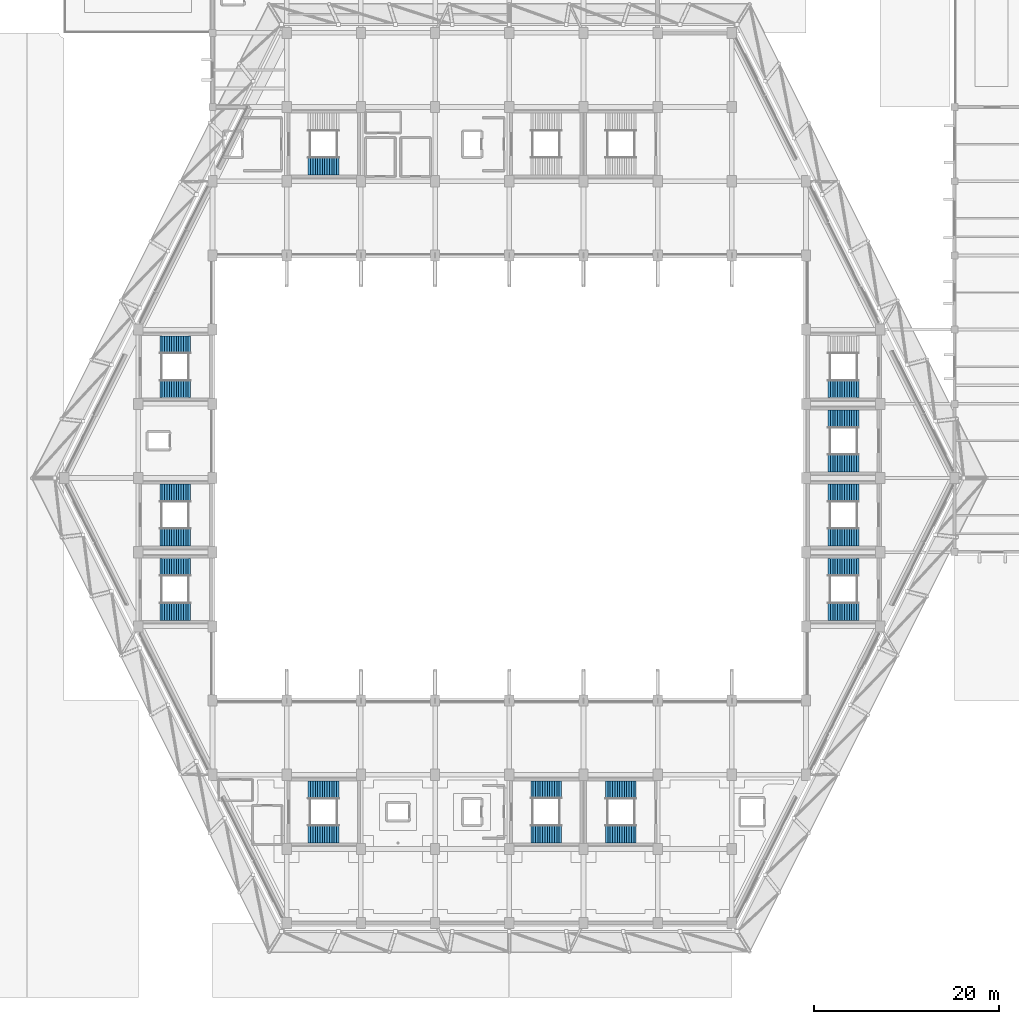
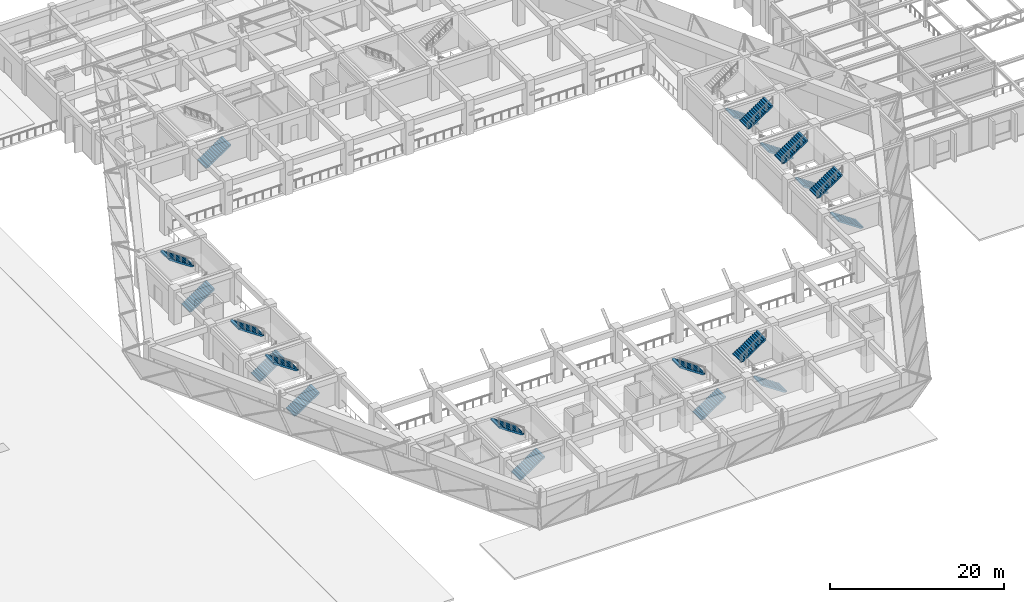
# One storey, part 37 of 46: 20 stair flights, 11 elements without a shape of their own.
"""IFC4 building model written with IfcOpenShell, lengths in metres."""

from ifc_helpers import new_model, si_unit, direction, frame, origin, place, context, subcontext, project, spatial, polyline, outline, extrude, material, type_object, element, aggregate, save


model = new_model("IFC4")

# Units and contexts
model_context = context("Model", 3, precision=1e-05, world=origin(), true_north=direction((0.0, 1.0)))
body_context = subcontext(model_context, "Body", "Model", "MODEL_VIEW")
ifc_project = project(units=[si_unit("LENGTHUNIT", "METRE"), si_unit("AREAUNIT", "SQUARE_METRE"), si_unit("VOLUMEUNIT", "CUBIC_METRE"), si_unit("PLANEANGLEUNIT", "RADIAN"), si_unit("MASSUNIT", "GRAM", prefix="KILO")], contexts=[model_context])

# Site, building, storey
site_placement = place(None, origin())
site = spatial("IfcSite", under=ifc_project, at=site_placement, CompositionType="ELEMENT")
building_placement = place(site_placement, origin())
building = spatial("IfcBuilding", under=site, at=building_placement, Name="Tazarka Park Arena", CompositionType="ELEMENT")
storey_placement = place(building_placement, frame((0.0, 0.0, 10.199951171875)))
storey = spatial("IfcBuildingStorey", under=building, at=storey_placement, Name="L02", CompositionType="ELEMENT", Elevation=10.199951171875)

# Stair, stair flights
ifc_material_1 = material(Name="Precast concrete C40/50", Category="concrete")
stair_type_1 = type_object("IfcStairType", Name="STR-2400", PredefinedType="HALF_TURN_STAIR", material=ifc_material_1)
stair_1_placement = place(storey_placement, origin())
stair_1 = element("IfcStair", 1, at=stair_1_placement, inside=storey, type_object=stair_type_1, Name="Stair ST09 L02", PredefinedType="HALF_TURN_STAIR")
ifc_material_2 = material(Name="Precast concrete C40/50", Category="concrete")
stair_flight_type_1 = type_object("IfcStairFlightType", Name="FLT-1350", PredefinedType="STRAIGHT", material=ifc_material_2)
stair_flight_1_placement = place(storey_placement, frame((66.31494140625, 25.6298828125, 0.0), z_axis=(0.0, 0.0, 1.0), x_axis=(1.0, 0.0, 0.0)))
stair_flight_1 = element("IfcStairFlight", 2, at=stair_flight_1_placement, type_object=stair_flight_type_1, Name="ST09-L02 flight 1", NumberOfRisers=14, NumberOfTreads=13, PredefinedType="STRAIGHT", RiserHeight=0.171429, TreadLength=0.255, context=body_context, shape_type="SweptSolid", body=[
    extrude(outline(polyline([(0.0, 0.0), (0.0, 0.17138671875), (0.2548828125, 0.17138671875), (0.2548828125, 0.3427734375), (0.510009765625, 0.3427734375), (0.510009765625, 0.514404296875), (0.764892578125, 0.514404296875), (0.764892578125, 0.685791015625), (1.02001953125, 0.685791015625), (1.02001953125, 0.857177734375), (1.27490234375, 0.857177734375), (1.27490234375, 1.028564453125), (1.530029296875, 1.028564453125), (1.530029296875, 1.199951171875), (1.784912109375, 1.199951171875), (1.784912109375, 1.371337890625), (2.0400390625, 1.371337890625), (2.0400390625, 1.54296875), (2.294921875, 1.54296875), (2.294921875, 1.71435546875), (2.550048828125, 1.71435546875), (2.550048828125, 1.8857421875), (2.804931640625, 1.8857421875), (2.804931640625, 2.05712890625), (3.06005859375, 2.05712890625), (3.06005859375, 2.228515625), (3.31494140625, 2.228515625), (3.31494140625, 2.39990234375), (3.31494140625, 2.01171875), (0.322509765625, 0.0), (0.0, 0.0)])), frame((0.0, 0.969970703125, 0.0), z_axis=(0.0, -1.0, 0.0), x_axis=(1.0, 0.0, 0.0)), (0.0, 0.0, 1.0), 1.93994140625),
])
stair_flight_2_placement = place(storey_placement, frame((69.6298828125, 30.3701171875, 2.400146484375), z_axis=(0.0, 0.0, 1.0), x_axis=(-1.0, 0.0, 0.0)))
stair_flight_2 = element("IfcStairFlight", 3, at=stair_flight_2_placement, type_object=stair_flight_type_1, Name="ST09-L02 flight 2", NumberOfRisers=14, NumberOfTreads=13, PredefinedType="STRAIGHT", RiserHeight=0.171429, TreadLength=0.255, context=body_context, shape_type="SweptSolid", body=[
    extrude(outline(polyline([(0.0, 0.0), (0.0, 0.17138671875), (0.2548828125, 0.17138671875), (0.2548828125, 0.3427734375), (0.510009765625, 0.3427734375), (0.510009765625, 0.514404296875), (0.764892578125, 0.514404296875), (0.764892578125, 0.685791015625), (1.02001953125, 0.685791015625), (1.02001953125, 0.857177734375), (1.27490234375, 0.857177734375), (1.27490234375, 1.028564453125), (1.530029296875, 1.028564453125), (1.530029296875, 1.199951171875), (1.784912109375, 1.199951171875), (1.784912109375, 1.371337890625), (2.0400390625, 1.371337890625), (2.0400390625, 1.54296875), (2.294921875, 1.54296875), (2.294921875, 1.71435546875), (2.550048828125, 1.71435546875), (2.550048828125, 1.8857421875), (2.804931640625, 1.8857421875), (2.804931640625, 2.05712890625), (3.06005859375, 2.05712890625), (3.06005859375, 2.228515625), (3.31494140625, 2.228515625), (3.31494140625, 2.39990234375), (3.31494140625, 2.01171875), (0.322509765625, 0.0), (0.0, 0.0)])), frame((0.0, 0.969970703125, 0.0), z_axis=(0.0, -1.0, 0.0), x_axis=(1.0, 0.0, 0.0)), (0.0, 0.0, 1.0), 1.93994140625),
])
aggregate(stair_1, [stair_flight_1, stair_flight_2])

stair_2_placement = place(storey_placement, origin())
stair_2 = element("IfcStair", 4, at=stair_2_placement, inside=storey, type_object=stair_type_1, Name="Stair ST11 L02", PredefinedType="HALF_TURN_STAIR")
stair_flight_3_placement = place(storey_placement, frame((101.68505859375, 25.6298828125, 0.0), z_axis=(0.0, 0.0, 1.0), x_axis=(-1.0, 0.0, 0.0)))
stair_flight_3 = element("IfcStairFlight", 5, at=stair_flight_3_placement, type_object=stair_flight_type_1, Name="ST11-L02 flight 1", NumberOfRisers=14, NumberOfTreads=13, PredefinedType="STRAIGHT", RiserHeight=0.171429, TreadLength=0.255, context=body_context, shape_type="SweptSolid", body=[
    extrude(outline(polyline([(0.0, 0.0), (0.0, 0.17138671875), (0.2548828125, 0.17138671875), (0.2548828125, 0.3427734375), (0.510009765625, 0.3427734375), (0.510009765625, 0.514404296875), (0.764892578125, 0.514404296875), (0.764892578125, 0.685791015625), (1.02001953125, 0.685791015625), (1.02001953125, 0.857177734375), (1.27490234375, 0.857177734375), (1.27490234375, 1.028564453125), (1.530029296875, 1.028564453125), (1.530029296875, 1.199951171875), (1.784912109375, 1.199951171875), (1.784912109375, 1.371337890625), (2.0400390625, 1.371337890625), (2.0400390625, 1.54296875), (2.294921875, 1.54296875), (2.294921875, 1.71435546875), (2.550048828125, 1.71435546875), (2.550048828125, 1.8857421875), (2.804931640625, 1.8857421875), (2.804931640625, 2.05712890625), (3.06005859375, 2.05712890625), (3.06005859375, 2.228515625), (3.31494140625, 2.228515625), (3.31494140625, 2.39990234375), (3.31494140625, 2.01171875), (0.322509765625, 0.0), (0.0, 0.0)])), frame((0.0, 0.969970703125, 0.0), z_axis=(0.0, -1.0, 0.0), x_axis=(1.0, 0.0, 0.0)), (0.0, 0.0, 1.0), 1.93994140625),
])
stair_flight_4_placement = place(storey_placement, frame((98.3701171875, 30.3701171875, 2.400146484375), z_axis=(0.0, 0.0, 1.0), x_axis=(1.0, 0.0, 0.0)))
stair_flight_4 = element("IfcStairFlight", 6, at=stair_flight_4_placement, type_object=stair_flight_type_1, Name="ST11-L02 flight 2", NumberOfRisers=14, NumberOfTreads=13, PredefinedType="STRAIGHT", RiserHeight=0.171429, TreadLength=0.255, context=body_context, shape_type="SweptSolid", body=[
    extrude(outline(polyline([(0.0, 0.0), (0.0, 0.17138671875), (0.2548828125, 0.17138671875), (0.2548828125, 0.3427734375), (0.510009765625, 0.3427734375), (0.510009765625, 0.514404296875), (0.764892578125, 0.514404296875), (0.764892578125, 0.685791015625), (1.02001953125, 0.685791015625), (1.02001953125, 0.857177734375), (1.27490234375, 0.857177734375), (1.27490234375, 1.028564453125), (1.530029296875, 1.028564453125), (1.530029296875, 1.199951171875), (1.784912109375, 1.199951171875), (1.784912109375, 1.371337890625), (2.0400390625, 1.371337890625), (2.0400390625, 1.54296875), (2.294921875, 1.54296875), (2.294921875, 1.71435546875), (2.550048828125, 1.71435546875), (2.550048828125, 1.8857421875), (2.804931640625, 1.8857421875), (2.804931640625, 2.05712890625), (3.06005859375, 2.05712890625), (3.06005859375, 2.228515625), (3.31494140625, 2.228515625), (3.31494140625, 2.39990234375), (3.31494140625, 2.01171875), (0.322509765625, 0.0), (0.0, 0.0)])), frame((0.0, 0.969970703125, 0.0), z_axis=(0.0, -1.0, 0.0), x_axis=(1.0, 0.0, 0.0)), (0.0, 0.0, 1.0), 1.93994140625),
])
aggregate(stair_2, [stair_flight_3, stair_flight_4])

stair_3_placement = place(storey_placement, origin())
stair_3 = element("IfcStair", 7, at=stair_3_placement, inside=storey, type_object=stair_type_1, Name="Stair ST12 L02", PredefinedType="HALF_TURN_STAIR")
stair_flight_5_placement = place(storey_placement, frame((125.68505859375, 57.6298828125, 0.0), z_axis=(0.0, 0.0, 1.0), x_axis=(-1.0, 0.0, 0.0)))
stair_flight_5 = element("IfcStairFlight", 8, at=stair_flight_5_placement, type_object=stair_flight_type_1, Name="ST12-L02 flight 1", NumberOfRisers=14, NumberOfTreads=13, PredefinedType="STRAIGHT", RiserHeight=0.171429, TreadLength=0.255, context=body_context, shape_type="SweptSolid", body=[
    extrude(outline(polyline([(0.0, 0.0), (0.0, 0.17138671875), (0.2548828125, 0.17138671875), (0.2548828125, 0.3427734375), (0.510009765625, 0.3427734375), (0.510009765625, 0.514404296875), (0.764892578125, 0.514404296875), (0.764892578125, 0.685791015625), (1.02001953125, 0.685791015625), (1.02001953125, 0.857177734375), (1.27490234375, 0.857177734375), (1.27490234375, 1.028564453125), (1.530029296875, 1.028564453125), (1.530029296875, 1.199951171875), (1.784912109375, 1.199951171875), (1.784912109375, 1.371337890625), (2.0400390625, 1.371337890625), (2.0400390625, 1.54296875), (2.294921875, 1.54296875), (2.294921875, 1.71435546875), (2.550048828125, 1.71435546875), (2.550048828125, 1.8857421875), (2.804931640625, 1.8857421875), (2.804931640625, 2.05712890625), (3.06005859375, 2.05712890625), (3.06005859375, 2.228515625), (3.31494140625, 2.228515625), (3.31494140625, 2.39990234375), (3.31494140625, 2.01171875), (0.322509765625, 0.0), (0.0, 0.0)])), frame((0.0, 0.969970703125, 0.0), z_axis=(0.0, -1.0, 0.0), x_axis=(1.0, 0.0, 0.0)), (0.0, 0.0, 1.0), 1.93994140625),
])
stair_flight_6_placement = place(storey_placement, frame((122.3701171875, 62.3701171875, 2.400146484375), z_axis=(0.0, 0.0, 1.0), x_axis=(1.0, 0.0, 0.0)))
stair_flight_6 = element("IfcStairFlight", 9, at=stair_flight_6_placement, type_object=stair_flight_type_1, Name="ST12-L02 flight 2", NumberOfRisers=14, NumberOfTreads=13, PredefinedType="STRAIGHT", RiserHeight=0.171429, TreadLength=0.255, context=body_context, shape_type="SweptSolid", body=[
    extrude(outline(polyline([(0.0, 0.0), (0.0, 0.17138671875), (0.2548828125, 0.17138671875), (0.2548828125, 0.3427734375), (0.510009765625, 0.3427734375), (0.510009765625, 0.514404296875), (0.764892578125, 0.514404296875), (0.764892578125, 0.685791015625), (1.02001953125, 0.685791015625), (1.02001953125, 0.857177734375), (1.27490234375, 0.857177734375), (1.27490234375, 1.028564453125), (1.530029296875, 1.028564453125), (1.530029296875, 1.199951171875), (1.784912109375, 1.199951171875), (1.784912109375, 1.371337890625), (2.0400390625, 1.371337890625), (2.0400390625, 1.54296875), (2.294921875, 1.54296875), (2.294921875, 1.71435546875), (2.550048828125, 1.71435546875), (2.550048828125, 1.8857421875), (2.804931640625, 1.8857421875), (2.804931640625, 2.05712890625), (3.06005859375, 2.05712890625), (3.06005859375, 2.228515625), (3.31494140625, 2.228515625), (3.31494140625, 2.39990234375), (3.31494140625, 2.01171875), (0.322509765625, 0.0), (0.0, 0.0)])), frame((0.0, 0.969970703125, 0.0), z_axis=(0.0, -1.0, 0.0), x_axis=(1.0, 0.0, 0.0)), (0.0, 0.0, 1.0), 1.93994140625),
])
aggregate(stair_3, [stair_flight_5, stair_flight_6])

stair_4_placement = place(storey_placement, origin())
stair_4 = element("IfcStair", 10, at=stair_4_placement, inside=storey, type_object=stair_type_1, Name="Stair ST13 L02", PredefinedType="HALF_TURN_STAIR")
stair_flight_7_placement = place(storey_placement, frame((50.31494140625, 57.6298828125, 0.0), z_axis=(0.0, 0.0, 1.0), x_axis=(1.0, 0.0, 0.0)))
stair_flight_7 = element("IfcStairFlight", 11, at=stair_flight_7_placement, type_object=stair_flight_type_1, Name="ST13-L02 flight 1", NumberOfRisers=14, NumberOfTreads=13, PredefinedType="STRAIGHT", RiserHeight=0.171429, TreadLength=0.255, context=body_context, shape_type="SweptSolid", body=[
    extrude(outline(polyline([(0.0, 0.0), (0.0, 0.17138671875), (0.2548828125, 0.17138671875), (0.2548828125, 0.3427734375), (0.510009765625, 0.3427734375), (0.510009765625, 0.514404296875), (0.764892578125, 0.514404296875), (0.764892578125, 0.685791015625), (1.02001953125, 0.685791015625), (1.02001953125, 0.857177734375), (1.27490234375, 0.857177734375), (1.27490234375, 1.028564453125), (1.530029296875, 1.028564453125), (1.530029296875, 1.199951171875), (1.784912109375, 1.199951171875), (1.784912109375, 1.371337890625), (2.0400390625, 1.371337890625), (2.0400390625, 1.54296875), (2.294921875, 1.54296875), (2.294921875, 1.71435546875), (2.550048828125, 1.71435546875), (2.550048828125, 1.8857421875), (2.804931640625, 1.8857421875), (2.804931640625, 2.05712890625), (3.06005859375, 2.05712890625), (3.06005859375, 2.228515625), (3.31494140625, 2.228515625), (3.31494140625, 2.39990234375), (3.31494140625, 2.01171875), (0.322509765625, 0.0), (0.0, 0.0)])), frame((0.0, 0.969970703125, 0.0), z_axis=(0.0, -1.0, 0.0), x_axis=(1.0, 0.0, 0.0)), (0.0, 0.0, 1.0), 1.93994140625),
])
stair_flight_8_placement = place(storey_placement, frame((53.6298828125, 62.3701171875, 2.400146484375), z_axis=(0.0, 0.0, 1.0), x_axis=(-1.0, 0.0, 0.0)))
stair_flight_8 = element("IfcStairFlight", 12, at=stair_flight_8_placement, type_object=stair_flight_type_1, Name="ST13-L02 flight 2", NumberOfRisers=14, NumberOfTreads=13, PredefinedType="STRAIGHT", RiserHeight=0.171429, TreadLength=0.255, context=body_context, shape_type="SweptSolid", body=[
    extrude(outline(polyline([(0.0, 0.0), (0.0, 0.17138671875), (0.2548828125, 0.17138671875), (0.2548828125, 0.3427734375), (0.510009765625, 0.3427734375), (0.510009765625, 0.514404296875), (0.764892578125, 0.514404296875), (0.764892578125, 0.685791015625), (1.02001953125, 0.685791015625), (1.02001953125, 0.857177734375), (1.27490234375, 0.857177734375), (1.27490234375, 1.028564453125), (1.530029296875, 1.028564453125), (1.530029296875, 1.199951171875), (1.784912109375, 1.199951171875), (1.784912109375, 1.371337890625), (2.0400390625, 1.371337890625), (2.0400390625, 1.54296875), (2.294921875, 1.54296875), (2.294921875, 1.71435546875), (2.550048828125, 1.71435546875), (2.550048828125, 1.8857421875), (2.804931640625, 1.8857421875), (2.804931640625, 2.05712890625), (3.06005859375, 2.05712890625), (3.06005859375, 2.228515625), (3.31494140625, 2.228515625), (3.31494140625, 2.39990234375), (3.31494140625, 2.01171875), (0.322509765625, 0.0), (0.0, 0.0)])), frame((0.0, 0.969970703125, 0.0), z_axis=(0.0, -1.0, 0.0), x_axis=(1.0, 0.0, 0.0)), (0.0, 0.0, 1.0), 1.93994140625),
])
aggregate(stair_4, [stair_flight_7, stair_flight_8])

# Stair, stair flight
stair_5_placement = place(storey_placement, origin())
stair_5 = element("IfcStair", 13, at=stair_5_placement, inside=storey, type_object=stair_type_1, Name="Stair ST14 L02", PredefinedType="HALF_TURN_STAIR")
stair_flight_9_placement = place(storey_placement, frame((66.31494140625, 97.6298828125, 0.0), z_axis=(0.0, 0.0, 1.0), x_axis=(1.0, 0.0, 0.0)))
stair_flight_9 = element("IfcStairFlight", 14, at=stair_flight_9_placement, type_object=stair_flight_type_1, Name="ST14-L02 flight 1", NumberOfRisers=14, NumberOfTreads=13, PredefinedType="STRAIGHT", RiserHeight=0.171429, TreadLength=0.255, context=body_context, shape_type="SweptSolid", body=[
    extrude(outline(polyline([(0.0, 0.0), (0.0, 0.17138671875), (0.2548828125, 0.17138671875), (0.2548828125, 0.3427734375), (0.510009765625, 0.3427734375), (0.510009765625, 0.514404296875), (0.764892578125, 0.514404296875), (0.764892578125, 0.685791015625), (1.02001953125, 0.685791015625), (1.02001953125, 0.857177734375), (1.27490234375, 0.857177734375), (1.27490234375, 1.028564453125), (1.530029296875, 1.028564453125), (1.530029296875, 1.199951171875), (1.784912109375, 1.199951171875), (1.784912109375, 1.371337890625), (2.0400390625, 1.371337890625), (2.0400390625, 1.54296875), (2.294921875, 1.54296875), (2.294921875, 1.71435546875), (2.550048828125, 1.71435546875), (2.550048828125, 1.8857421875), (2.804931640625, 1.8857421875), (2.804931640625, 2.05712890625), (3.06005859375, 2.05712890625), (3.06005859375, 2.228515625), (3.31494140625, 2.228515625), (3.31494140625, 2.39990234375), (3.31494140625, 2.01171875), (0.322509765625, 0.0), (0.0, 0.0)])), frame((0.0, 0.969970703125, 0.0), z_axis=(0.0, -1.0, 0.0), x_axis=(1.0, 0.0, 0.0)), (0.0, 0.0, 1.0), 1.93994140625),
])
aggregate(stair_5, [stair_flight_9])

# Stair, stair flights
stair_6_placement = place(storey_placement, origin())
stair_6 = element("IfcStair", 15, at=stair_6_placement, inside=storey, type_object=stair_type_1, Name="Stair ST16 L02", PredefinedType="HALF_TURN_STAIR")
stair_flight_10_placement = place(storey_placement, frame((125.68505859375, 65.6298828125, 0.0), z_axis=(0.0, 0.0, 1.0), x_axis=(-1.0, 0.0, 0.0)))
stair_flight_10 = element("IfcStairFlight", 16, at=stair_flight_10_placement, type_object=stair_flight_type_1, Name="ST16-L02 flight 1", NumberOfRisers=14, NumberOfTreads=13, PredefinedType="STRAIGHT", RiserHeight=0.171429, TreadLength=0.255, context=body_context, shape_type="SweptSolid", body=[
    extrude(outline(polyline([(0.0, 0.0), (0.0, 0.17138671875), (0.2548828125, 0.17138671875), (0.2548828125, 0.3427734375), (0.510009765625, 0.3427734375), (0.510009765625, 0.514404296875), (0.764892578125, 0.514404296875), (0.764892578125, 0.685791015625), (1.02001953125, 0.685791015625), (1.02001953125, 0.857177734375), (1.27490234375, 0.857177734375), (1.27490234375, 1.028564453125), (1.530029296875, 1.028564453125), (1.530029296875, 1.199951171875), (1.784912109375, 1.199951171875), (1.784912109375, 1.371337890625), (2.0400390625, 1.371337890625), (2.0400390625, 1.54296875), (2.294921875, 1.54296875), (2.294921875, 1.71435546875), (2.550048828125, 1.71435546875), (2.550048828125, 1.8857421875), (2.804931640625, 1.8857421875), (2.804931640625, 2.05712890625), (3.06005859375, 2.05712890625), (3.06005859375, 2.228515625), (3.31494140625, 2.228515625), (3.31494140625, 2.39990234375), (3.31494140625, 2.01171875), (0.322509765625, 0.0), (0.0, 0.0)])), frame((0.0, 0.969970703125, 0.0), z_axis=(0.0, -1.0, 0.0), x_axis=(1.0, 0.0, 0.0)), (0.0, 0.0, 1.0), 1.93994140625),
])
stair_flight_11_placement = place(storey_placement, frame((122.3701171875, 70.3701171875, 2.400146484375), z_axis=(0.0, 0.0, 1.0), x_axis=(1.0, 0.0, 0.0)))
stair_flight_11 = element("IfcStairFlight", 17, at=stair_flight_11_placement, type_object=stair_flight_type_1, Name="ST16-L02 flight 2", NumberOfRisers=14, NumberOfTreads=13, PredefinedType="STRAIGHT", RiserHeight=0.171429, TreadLength=0.255, context=body_context, shape_type="SweptSolid", body=[
    extrude(outline(polyline([(0.0, 0.0), (0.0, 0.17138671875), (0.2548828125, 0.17138671875), (0.2548828125, 0.3427734375), (0.510009765625, 0.3427734375), (0.510009765625, 0.514404296875), (0.764892578125, 0.514404296875), (0.764892578125, 0.685791015625), (1.02001953125, 0.685791015625), (1.02001953125, 0.857177734375), (1.27490234375, 0.857177734375), (1.27490234375, 1.028564453125), (1.530029296875, 1.028564453125), (1.530029296875, 1.199951171875), (1.784912109375, 1.199951171875), (1.784912109375, 1.371337890625), (2.0400390625, 1.371337890625), (2.0400390625, 1.54296875), (2.294921875, 1.54296875), (2.294921875, 1.71435546875), (2.550048828125, 1.71435546875), (2.550048828125, 1.8857421875), (2.804931640625, 1.8857421875), (2.804931640625, 2.05712890625), (3.06005859375, 2.05712890625), (3.06005859375, 2.228515625), (3.31494140625, 2.228515625), (3.31494140625, 2.39990234375), (3.31494140625, 2.01171875), (0.322509765625, 0.0), (0.0, 0.0)])), frame((0.0, 0.969970703125, 0.0), z_axis=(0.0, -1.0, 0.0), x_axis=(1.0, 0.0, 0.0)), (0.0, 0.0, 1.0), 1.93994140625),
])
aggregate(stair_6, [stair_flight_10, stair_flight_11])

ifc_material_3 = material(Name="Precast concrete C40/50", Category="concrete")
stair_type_2 = type_object("IfcStairType", Name="STR-1800", PredefinedType="HALF_TURN_STAIR", material=ifc_material_3)
stair_7_placement = place(storey_placement, origin())
stair_7 = element("IfcStair", 18, at=stair_7_placement, inside=storey, type_object=stair_type_2, Name="Vomitory Stair ST19 L02", PredefinedType="HALF_TURN_STAIR")
ifc_material_4 = material(Name="Precast concrete C40/50", Category="concrete")
stair_flight_type_2 = type_object("IfcStairFlightType", Name="FLT-1800", PredefinedType="STRAIGHT", material=ifc_material_4)
stair_flight_12_placement = place(storey_placement, frame((50.31494140625, 49.610107421875, 0.0), z_axis=(0.0, 0.0, 1.0), x_axis=(1.0, 0.0, 0.0)))
stair_flight_12 = element("IfcStairFlight", 19, at=stair_flight_12_placement, type_object=stair_flight_type_2, Name="ST19-L02 flight 1", NumberOfRisers=14, NumberOfTreads=13, PredefinedType="STRAIGHT", RiserHeight=0.171429, TreadLength=0.255, context=body_context, shape_type="SweptSolid", body=[
    extrude(outline(polyline([(0.0, 0.0), (0.0, 0.17138671875), (0.2548828125, 0.17138671875), (0.2548828125, 0.3427734375), (0.510009765625, 0.3427734375), (0.510009765625, 0.514404296875), (0.764892578125, 0.514404296875), (0.764892578125, 0.685791015625), (1.02001953125, 0.685791015625), (1.02001953125, 0.857177734375), (1.27490234375, 0.857177734375), (1.27490234375, 1.028564453125), (1.530029296875, 1.028564453125), (1.530029296875, 1.199951171875), (1.784912109375, 1.199951171875), (1.784912109375, 1.371337890625), (2.0400390625, 1.371337890625), (2.0400390625, 1.54296875), (2.294921875, 1.54296875), (2.294921875, 1.71435546875), (2.550048828125, 1.71435546875), (2.550048828125, 1.8857421875), (2.804931640625, 1.8857421875), (2.804931640625, 2.05712890625), (3.06005859375, 2.05712890625), (3.06005859375, 2.228515625), (3.31494140625, 2.228515625), (3.31494140625, 2.39990234375), (3.31494140625, 2.01171875), (0.322509765625, 0.0), (0.0, 0.0)])), frame((0.0, 0.949951171875, 0.0), z_axis=(0.0, -1.0, 0.0), x_axis=(1.0, 0.0, 0.0)), (0.0, 0.0, 1.0), 1.89990234375),
])
stair_flight_13_placement = place(storey_placement, frame((53.6298828125, 54.389892578125, 2.400146484375), z_axis=(0.0, 0.0, 1.0), x_axis=(-1.0, 0.0, 0.0)))
stair_flight_13 = element("IfcStairFlight", 20, at=stair_flight_13_placement, type_object=stair_flight_type_2, Name="ST19-L02 flight 2", NumberOfRisers=14, NumberOfTreads=13, PredefinedType="STRAIGHT", RiserHeight=0.171429, TreadLength=0.255, context=body_context, shape_type="SweptSolid", body=[
    extrude(outline(polyline([(0.0, 0.0), (0.0, 0.17138671875), (0.2548828125, 0.17138671875), (0.2548828125, 0.3427734375), (0.510009765625, 0.3427734375), (0.510009765625, 0.514404296875), (0.764892578125, 0.514404296875), (0.764892578125, 0.685791015625), (1.02001953125, 0.685791015625), (1.02001953125, 0.857177734375), (1.27490234375, 0.857177734375), (1.27490234375, 1.028564453125), (1.530029296875, 1.028564453125), (1.530029296875, 1.199951171875), (1.784912109375, 1.199951171875), (1.784912109375, 1.371337890625), (2.0400390625, 1.371337890625), (2.0400390625, 1.54296875), (2.294921875, 1.54296875), (2.294921875, 1.71435546875), (2.550048828125, 1.71435546875), (2.550048828125, 1.8857421875), (2.804931640625, 1.8857421875), (2.804931640625, 2.05712890625), (3.06005859375, 2.05712890625), (3.06005859375, 2.228515625), (3.31494140625, 2.228515625), (3.31494140625, 2.39990234375), (3.31494140625, 2.01171875), (0.322509765625, 0.0), (0.0, 0.0)])), frame((0.0, 0.949951171875, 0.0), z_axis=(0.0, -1.0, 0.0), x_axis=(1.0, 0.0, 0.0)), (0.0, 0.0, 1.0), 1.89990234375),
])
aggregate(stair_7, [stair_flight_12, stair_flight_13])

stair_8_placement = place(storey_placement, origin())
stair_8 = element("IfcStair", 21, at=stair_8_placement, inside=storey, type_object=stair_type_2, Name="Vomitory Stair ST20 L02", PredefinedType="HALF_TURN_STAIR")
stair_flight_14_placement = place(storey_placement, frame((50.31494140625, 73.610107421875, 0.0), z_axis=(0.0, 0.0, 1.0), x_axis=(1.0, 0.0, 0.0)))
stair_flight_14 = element("IfcStairFlight", 22, at=stair_flight_14_placement, type_object=stair_flight_type_2, Name="ST20-L02 flight 1", NumberOfRisers=14, NumberOfTreads=13, PredefinedType="STRAIGHT", RiserHeight=0.171429, TreadLength=0.255, context=body_context, shape_type="SweptSolid", body=[
    extrude(outline(polyline([(0.0, 0.0), (0.0, 0.17138671875), (0.2548828125, 0.17138671875), (0.2548828125, 0.3427734375), (0.510009765625, 0.3427734375), (0.510009765625, 0.514404296875), (0.764892578125, 0.514404296875), (0.764892578125, 0.685791015625), (1.02001953125, 0.685791015625), (1.02001953125, 0.857177734375), (1.27490234375, 0.857177734375), (1.27490234375, 1.028564453125), (1.530029296875, 1.028564453125), (1.530029296875, 1.199951171875), (1.784912109375, 1.199951171875), (1.784912109375, 1.371337890625), (2.0400390625, 1.371337890625), (2.0400390625, 1.54296875), (2.294921875, 1.54296875), (2.294921875, 1.71435546875), (2.550048828125, 1.71435546875), (2.550048828125, 1.8857421875), (2.804931640625, 1.8857421875), (2.804931640625, 2.05712890625), (3.06005859375, 2.05712890625), (3.06005859375, 2.228515625), (3.31494140625, 2.228515625), (3.31494140625, 2.39990234375), (3.31494140625, 2.01171875), (0.322509765625, 0.0), (0.0, 0.0)])), frame((0.0, 0.949951171875, 0.0), z_axis=(0.0, -1.0, 0.0), x_axis=(1.0, 0.0, 0.0)), (0.0, 0.0, 1.0), 1.89990234375),
])
stair_flight_15_placement = place(storey_placement, frame((53.6298828125, 78.389892578125, 2.400146484375), z_axis=(0.0, 0.0, 1.0), x_axis=(-1.0, 0.0, 0.0)))
stair_flight_15 = element("IfcStairFlight", 23, at=stair_flight_15_placement, type_object=stair_flight_type_2, Name="ST20-L02 flight 2", NumberOfRisers=14, NumberOfTreads=13, PredefinedType="STRAIGHT", RiserHeight=0.171429, TreadLength=0.255, context=body_context, shape_type="SweptSolid", body=[
    extrude(outline(polyline([(0.0, 0.0), (0.0, 0.17138671875), (0.2548828125, 0.17138671875), (0.2548828125, 0.3427734375), (0.510009765625, 0.3427734375), (0.510009765625, 0.514404296875), (0.764892578125, 0.514404296875), (0.764892578125, 0.685791015625), (1.02001953125, 0.685791015625), (1.02001953125, 0.857177734375), (1.27490234375, 0.857177734375), (1.27490234375, 1.028564453125), (1.530029296875, 1.028564453125), (1.530029296875, 1.199951171875), (1.784912109375, 1.199951171875), (1.784912109375, 1.371337890625), (2.0400390625, 1.371337890625), (2.0400390625, 1.54296875), (2.294921875, 1.54296875), (2.294921875, 1.71435546875), (2.550048828125, 1.71435546875), (2.550048828125, 1.8857421875), (2.804931640625, 1.8857421875), (2.804931640625, 2.05712890625), (3.06005859375, 2.05712890625), (3.06005859375, 2.228515625), (3.31494140625, 2.228515625), (3.31494140625, 2.39990234375), (3.31494140625, 2.01171875), (0.322509765625, 0.0), (0.0, 0.0)])), frame((0.0, 0.949951171875, 0.0), z_axis=(0.0, -1.0, 0.0), x_axis=(1.0, 0.0, 0.0)), (0.0, 0.0, 1.0), 1.89990234375),
])
aggregate(stair_8, [stair_flight_14, stair_flight_15])

stair_9_placement = place(storey_placement, origin())
stair_9 = element("IfcStair", 24, at=stair_9_placement, inside=storey, type_object=stair_type_2, Name="Vomitory Stair ST21 L02", PredefinedType="HALF_TURN_STAIR")
stair_flight_16_placement = place(storey_placement, frame((125.68505859375, 49.610107421875, 0.0), z_axis=(0.0, 0.0, 1.0), x_axis=(-1.0, 0.0, 0.0)))
stair_flight_16 = element("IfcStairFlight", 25, at=stair_flight_16_placement, type_object=stair_flight_type_2, Name="ST21-L02 flight 1", NumberOfRisers=14, NumberOfTreads=13, PredefinedType="STRAIGHT", RiserHeight=0.171429, TreadLength=0.255, context=body_context, shape_type="SweptSolid", body=[
    extrude(outline(polyline([(0.0, 0.0), (0.0, 0.17138671875), (0.2548828125, 0.17138671875), (0.2548828125, 0.3427734375), (0.510009765625, 0.3427734375), (0.510009765625, 0.514404296875), (0.764892578125, 0.514404296875), (0.764892578125, 0.685791015625), (1.02001953125, 0.685791015625), (1.02001953125, 0.857177734375), (1.27490234375, 0.857177734375), (1.27490234375, 1.028564453125), (1.530029296875, 1.028564453125), (1.530029296875, 1.199951171875), (1.784912109375, 1.199951171875), (1.784912109375, 1.371337890625), (2.0400390625, 1.371337890625), (2.0400390625, 1.54296875), (2.294921875, 1.54296875), (2.294921875, 1.71435546875), (2.550048828125, 1.71435546875), (2.550048828125, 1.8857421875), (2.804931640625, 1.8857421875), (2.804931640625, 2.05712890625), (3.06005859375, 2.05712890625), (3.06005859375, 2.228515625), (3.31494140625, 2.228515625), (3.31494140625, 2.39990234375), (3.31494140625, 2.01171875), (0.322509765625, 0.0), (0.0, 0.0)])), frame((0.0, 0.949951171875, 0.0), z_axis=(0.0, -1.0, 0.0), x_axis=(1.0, 0.0, 0.0)), (0.0, 0.0, 1.0), 1.89990234375),
])
stair_flight_17_placement = place(storey_placement, frame((122.3701171875, 54.389892578125, 2.400146484375), z_axis=(0.0, 0.0, 1.0), x_axis=(1.0, 0.0, 0.0)))
stair_flight_17 = element("IfcStairFlight", 26, at=stair_flight_17_placement, type_object=stair_flight_type_2, Name="ST21-L02 flight 2", NumberOfRisers=14, NumberOfTreads=13, PredefinedType="STRAIGHT", RiserHeight=0.171429, TreadLength=0.255, context=body_context, shape_type="SweptSolid", body=[
    extrude(outline(polyline([(0.0, 0.0), (0.0, 0.17138671875), (0.2548828125, 0.17138671875), (0.2548828125, 0.3427734375), (0.510009765625, 0.3427734375), (0.510009765625, 0.514404296875), (0.764892578125, 0.514404296875), (0.764892578125, 0.685791015625), (1.02001953125, 0.685791015625), (1.02001953125, 0.857177734375), (1.27490234375, 0.857177734375), (1.27490234375, 1.028564453125), (1.530029296875, 1.028564453125), (1.530029296875, 1.199951171875), (1.784912109375, 1.199951171875), (1.784912109375, 1.371337890625), (2.0400390625, 1.371337890625), (2.0400390625, 1.54296875), (2.294921875, 1.54296875), (2.294921875, 1.71435546875), (2.550048828125, 1.71435546875), (2.550048828125, 1.8857421875), (2.804931640625, 1.8857421875), (2.804931640625, 2.05712890625), (3.06005859375, 2.05712890625), (3.06005859375, 2.228515625), (3.31494140625, 2.228515625), (3.31494140625, 2.39990234375), (3.31494140625, 2.01171875), (0.322509765625, 0.0), (0.0, 0.0)])), frame((0.0, 0.949951171875, 0.0), z_axis=(0.0, -1.0, 0.0), x_axis=(1.0, 0.0, 0.0)), (0.0, 0.0, 1.0), 1.89990234375),
])
aggregate(stair_9, [stair_flight_16, stair_flight_17])

# Stair, stair flight
stair_10_placement = place(storey_placement, origin())
stair_10 = element("IfcStair", 27, at=stair_10_placement, inside=storey, type_object=stair_type_2, Name="Vomitory Stair ST22 L02", PredefinedType="HALF_TURN_STAIR")
stair_flight_18_placement = place(storey_placement, frame((125.68505859375, 73.610107421875, 0.0), z_axis=(0.0, 0.0, 1.0), x_axis=(-1.0, 0.0, 0.0)))
stair_flight_18 = element("IfcStairFlight", 28, at=stair_flight_18_placement, type_object=stair_flight_type_2, Name="ST22-L02 flight 1", NumberOfRisers=14, NumberOfTreads=13, PredefinedType="STRAIGHT", RiserHeight=0.171429, TreadLength=0.255, context=body_context, shape_type="SweptSolid", body=[
    extrude(outline(polyline([(0.0, 0.0), (0.0, 0.17138671875), (0.2548828125, 0.17138671875), (0.2548828125, 0.3427734375), (0.510009765625, 0.3427734375), (0.510009765625, 0.514404296875), (0.764892578125, 0.514404296875), (0.764892578125, 0.685791015625), (1.02001953125, 0.685791015625), (1.02001953125, 0.857177734375), (1.27490234375, 0.857177734375), (1.27490234375, 1.028564453125), (1.530029296875, 1.028564453125), (1.530029296875, 1.199951171875), (1.784912109375, 1.199951171875), (1.784912109375, 1.371337890625), (2.0400390625, 1.371337890625), (2.0400390625, 1.54296875), (2.294921875, 1.54296875), (2.294921875, 1.71435546875), (2.550048828125, 1.71435546875), (2.550048828125, 1.8857421875), (2.804931640625, 1.8857421875), (2.804931640625, 2.05712890625), (3.06005859375, 2.05712890625), (3.06005859375, 2.228515625), (3.31494140625, 2.228515625), (3.31494140625, 2.39990234375), (3.31494140625, 2.01171875), (0.322509765625, 0.0), (0.0, 0.0)])), frame((0.0, 0.949951171875, 0.0), z_axis=(0.0, -1.0, 0.0), x_axis=(1.0, 0.0, 0.0)), (0.0, 0.0, 1.0), 1.89990234375),
])
aggregate(stair_10, [stair_flight_18])

# Stair, stair flights
stair_11_placement = place(storey_placement, origin())
stair_11 = element("IfcStair", 29, at=stair_11_placement, inside=storey, type_object=stair_type_2, Name="Vomitory Stair ST23 L02", PredefinedType="HALF_TURN_STAIR")
stair_flight_19_placement = place(storey_placement, frame((90.31494140625, 25.610107421875, 0.0), z_axis=(0.0, 0.0, 1.0), x_axis=(1.0, 0.0, 0.0)))
stair_flight_19 = element("IfcStairFlight", 30, at=stair_flight_19_placement, type_object=stair_flight_type_2, Name="ST23-L02 flight 1", NumberOfRisers=14, NumberOfTreads=13, PredefinedType="STRAIGHT", RiserHeight=0.171429, TreadLength=0.255, context=body_context, shape_type="SweptSolid", body=[
    extrude(outline(polyline([(0.0, 0.0), (0.0, 0.17138671875), (0.2548828125, 0.17138671875), (0.2548828125, 0.3427734375), (0.510009765625, 0.3427734375), (0.510009765625, 0.514404296875), (0.764892578125, 0.514404296875), (0.764892578125, 0.685791015625), (1.02001953125, 0.685791015625), (1.02001953125, 0.857177734375), (1.27490234375, 0.857177734375), (1.27490234375, 1.028564453125), (1.530029296875, 1.028564453125), (1.530029296875, 1.199951171875), (1.784912109375, 1.199951171875), (1.784912109375, 1.371337890625), (2.0400390625, 1.371337890625), (2.0400390625, 1.54296875), (2.294921875, 1.54296875), (2.294921875, 1.71435546875), (2.550048828125, 1.71435546875), (2.550048828125, 1.8857421875), (2.804931640625, 1.8857421875), (2.804931640625, 2.05712890625), (3.06005859375, 2.05712890625), (3.06005859375, 2.228515625), (3.31494140625, 2.228515625), (3.31494140625, 2.39990234375), (3.31494140625, 2.01171875), (0.322509765625, 0.0), (0.0, 0.0)])), frame((0.0, 0.949951171875, 0.0), z_axis=(0.0, -1.0, 0.0), x_axis=(1.0, 0.0, 0.0)), (0.0, 0.0, 1.0), 1.89990234375),
])
stair_flight_20_placement = place(storey_placement, frame((93.6298828125, 30.389892578125, 2.400146484375), z_axis=(0.0, 0.0, 1.0), x_axis=(-1.0, 0.0, 0.0)))
stair_flight_20 = element("IfcStairFlight", 31, at=stair_flight_20_placement, type_object=stair_flight_type_2, Name="ST23-L02 flight 2", NumberOfRisers=14, NumberOfTreads=13, PredefinedType="STRAIGHT", RiserHeight=0.171429, TreadLength=0.255, context=body_context, shape_type="SweptSolid", body=[
    extrude(outline(polyline([(0.0, 0.0), (0.0, 0.17138671875), (0.2548828125, 0.17138671875), (0.2548828125, 0.3427734375), (0.510009765625, 0.3427734375), (0.510009765625, 0.514404296875), (0.764892578125, 0.514404296875), (0.764892578125, 0.685791015625), (1.02001953125, 0.685791015625), (1.02001953125, 0.857177734375), (1.27490234375, 0.857177734375), (1.27490234375, 1.028564453125), (1.530029296875, 1.028564453125), (1.530029296875, 1.199951171875), (1.784912109375, 1.199951171875), (1.784912109375, 1.371337890625), (2.0400390625, 1.371337890625), (2.0400390625, 1.54296875), (2.294921875, 1.54296875), (2.294921875, 1.71435546875), (2.550048828125, 1.71435546875), (2.550048828125, 1.8857421875), (2.804931640625, 1.8857421875), (2.804931640625, 2.05712890625), (3.06005859375, 2.05712890625), (3.06005859375, 2.228515625), (3.31494140625, 2.228515625), (3.31494140625, 2.39990234375), (3.31494140625, 2.01171875), (0.322509765625, 0.0), (0.0, 0.0)])), frame((0.0, 0.949951171875, 0.0), z_axis=(0.0, -1.0, 0.0), x_axis=(1.0, 0.0, 0.0)), (0.0, 0.0, 1.0), 1.89990234375),
])
aggregate(stair_11, [stair_flight_19, stair_flight_20])

save(model, "model.ifc")
